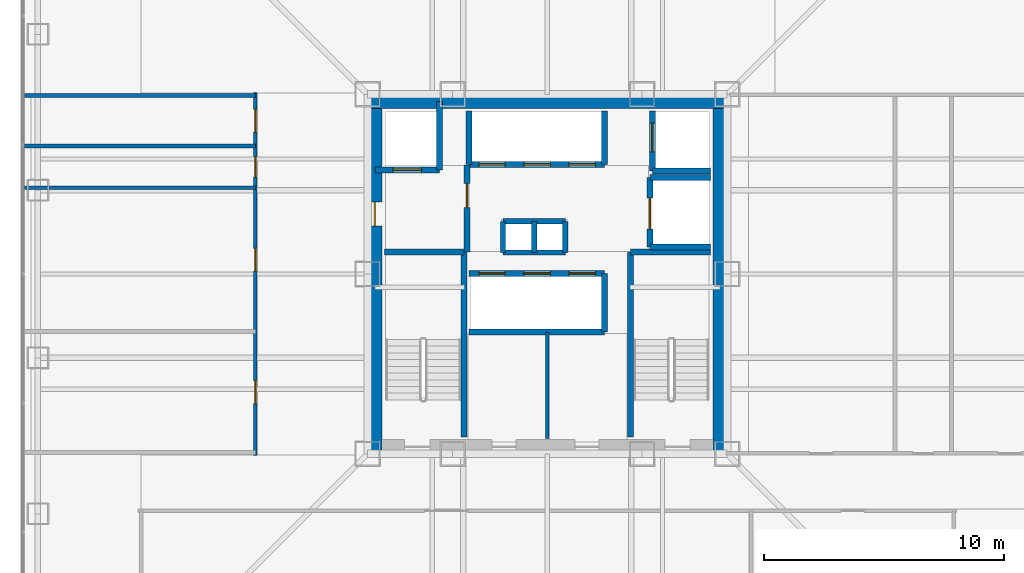
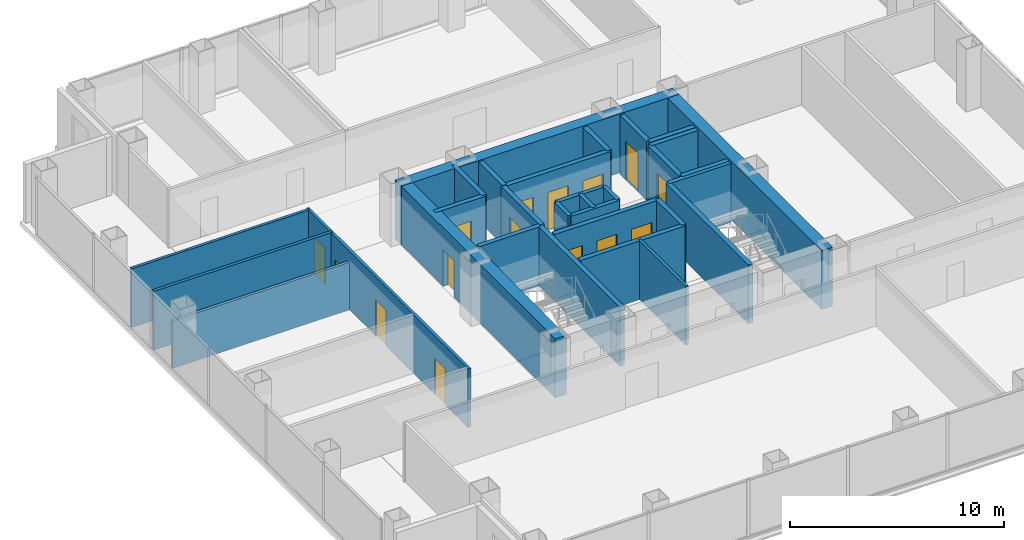
# One storey, part 10 of 14: 31 walls, 15 doors, 15 openings.
"""IFC4 building model written with IfcOpenShell, lengths in metres."""

import ifcopenshell
import ifcopenshell.guid

model = None  # the IFC model being written
_history = None  # IfcOwnerHistory: only IFC2X3 demands one
_inside = {}  # id of a spatial element -> (the spatial element, [elements in it])
_under = {}  # id of a project, library or spatial element -> (it, [spatial elements below it])
_declared = {}  # id of a project -> (the project, [libraries it declares])
_typed = {}  # id of a type object -> (the type object, [elements of that type])
_made_of = {}  # id of a material, layer set ... -> (it, [elements and type objects made of it])


def new_model(schema):
    """Start an empty IFC model of exactly this schema.

    Asked for "IFC4X3", IfcOpenShell would pick the latest addendum, in which some entities
    have other attributes; the version numbers below select the first issue.
    IFC2X3 requires an IfcOwnerHistory on every rooted entity: one is made here for all.
    """
    global model, _history
    if schema == "IFC4X3":
        model = ifcopenshell.file(schema_version=(4, 3, 0, 0))
    else:
        model = ifcopenshell.file(schema=schema)
    _inside.clear()
    _under.clear()
    _declared.clear()
    _typed.clear()
    _made_of.clear()
    _history = None
    if model.schema == "IFC2X3":
        org = make("IfcOrganization", Name="unknown")
        user = make(
            "IfcPersonAndOrganization",
            ThePerson=make("IfcPerson", FamilyName="unknown"),
            TheOrganization=org,
        )
        app = make(
            "IfcApplication",
            ApplicationDeveloper=org,
            Version="unknown",
            ApplicationFullName="unknown",
            ApplicationIdentifier="unknown",
        )
        _history = make(
            "IfcOwnerHistory",
            OwningUser=user,
            OwningApplication=app,
            ChangeAction="ADDED",
            CreationDate=0,
        )
    return model


def make(cls, **values):
    """One entity of the class cls with the attributes given. An attribute that is None is left unset."""
    return model.create_entity(
        cls, **{name: value for name, value in values.items() if value is not None}
    )


def rooted(cls, **values):
    """An entity with a GlobalId (a new one), such as an element, a storey or a relation."""
    return make(cls, GlobalId=ifcopenshell.guid.new(), OwnerHistory=_history, **values)


def si_unit(unit_type, name, prefix=None):
    """IfcSIUnit, for example si_unit("LENGTHUNIT", "METRE", prefix="MILLI")."""
    return make("IfcSIUnit", UnitType=unit_type, Prefix=prefix, Name=name)


def assignment(units):
    """IfcUnitAssignment: the units of a project."""
    return None if units is None else make("IfcUnitAssignment", Units=units)


def point(xyz):
    """IfcCartesianPoint."""
    return None if xyz is None else make("IfcCartesianPoint", Coordinates=xyz)


def direction(xyz):
    """IfcDirection."""
    return None if xyz is None else make("IfcDirection", DirectionRatios=xyz)


def frame(location, z_axis=None, x_axis=None):
    """IfcAxis2Placement3D, a coordinate frame: its origin and axes. An axis left out is left unset."""
    return make(
        "IfcAxis2Placement3D",
        Location=point(location),
        Axis=direction(z_axis),
        RefDirection=direction(x_axis),
    )


def frame_2d(location, x_axis=None):
    """IfcAxis2Placement2D, a coordinate frame in the plane: its origin and x axis."""
    return make(
        "IfcAxis2Placement2D", Location=point(location), RefDirection=direction(x_axis)
    )


def origin():
    """The frame at (0, 0, 0) with its axes left unset."""
    return frame((0.0, 0.0, 0.0))


def place(relative_to, where):
    """IfcLocalPlacement: puts the frame where relative to a parent placement (None: the world)."""
    return make(
        "IfcLocalPlacement", PlacementRelTo=relative_to, RelativePlacement=where
    )


def context(
    kind, dimensions, precision=None, world=None, true_north=None, identifier=None
):
    """IfcGeometricRepresentationContext, for example the 3D "Model" context."""
    return make(
        "IfcGeometricRepresentationContext",
        ContextIdentifier=identifier,
        ContextType=kind,
        CoordinateSpaceDimension=dimensions,
        Precision=precision,
        WorldCoordinateSystem=world,
        TrueNorth=true_north,
    )


def subcontext(parent, identifier, kind, view, scale=None):
    """IfcGeometricRepresentationSubContext, for example "Body" below "Model"."""
    return make(
        "IfcGeometricRepresentationSubContext",
        ContextIdentifier=identifier,
        ContextType=kind,
        ParentContext=parent,
        TargetScale=scale,
        TargetView=view,
    )


def project(units=None, contexts=None):
    """IfcProject with its units and contexts."""
    return rooted(
        "IfcProject",
        Name="project",
        RepresentationContexts=contexts,
        UnitsInContext=assignment(units),
    )


def spatial(cls, under=None, at=None, **own):
    """A site, building, storey or space (cls), placed at a placement, below another one or the project."""
    s = rooted(cls, ObjectPlacement=at, **own)
    if under is not None:
        _under.setdefault(under.id(), (under, []))[1].append(s)
    return s


def profile(cls, at=None, kind="AREA", **sizes):
    """A parametric profile (cls). Its sizes go by their IFC names, for example OverallWidth=200.0."""
    return make(cls, ProfileType=kind, Position=at, **sizes)


def rectangle(**sizes):
    """IfcRectangleProfileDef."""
    return profile("IfcRectangleProfileDef", **sizes)


def extrude(swept, where, along, depth):
    """IfcExtrudedAreaSolid: the profile swept, set in the frame where, extruded along a direction by depth."""
    return make(
        "IfcExtrudedAreaSolid",
        SweptArea=swept,
        Position=where,
        ExtrudedDirection=direction(along),
        Depth=depth,
    )


def shape(context_of_items, identifier, shape_type, items):
    """IfcShapeRepresentation: the items that make up one representation, for example the "Body"."""
    return make(
        "IfcShapeRepresentation",
        ContextOfItems=context_of_items,
        RepresentationIdentifier=identifier,
        RepresentationType=shape_type,
        Items=items,
    )


def material(Name=None, Category=None):
    """IfcMaterial."""
    return make("IfcMaterial", Name=Name, Category=Category)


def layer(
    of_material, thickness, ventilated=None, Name=None, Category=None, Priority=None
):
    """IfcMaterialLayer: one layer of a wall or slab, of a material (None: an air gap)."""
    return make(
        "IfcMaterialLayer",
        Material=of_material,
        LayerThickness=thickness,
        IsVentilated=ventilated,
        Name=Name,
        Category=Category,
        Priority=Priority,
    )


def layer_set(layers, Name=None):
    """IfcMaterialLayerSet."""
    return make("IfcMaterialLayerSet", MaterialLayers=layers, LayerSetName=Name)


def made_of(thing, what):
    """Note that an element or type object is made of a material, layer set ...; save() writes the relation."""
    if what is not None:
        _made_of.setdefault(what.id(), (what, []))[1].append(thing)
    return thing


def type_object(cls, material=None, **own):
    """A type object (cls), such as IfcWallType, which elements share."""
    return made_of(rooted(cls, **own), material)


def element(
    cls,
    number,
    at=None,
    inside=None,
    cuts=None,
    type_object=None,
    material=None,
    context=None,
    identifier="Body",
    shape_type=None,
    held_by="IfcProductDefinitionShape",
    body=None,
    shapes=None,
    **own,
):
    """One element of the class cls, such as IfcWall. Its Tag is "e" and its number.

    at: its placement. inside: the storey or other place that contains it. cuts: it is an
    opening in that element (IfcRelVoidsElement). A single representation is given by context,
    identifier, shape_type and body (its items); several are given by shapes. held_by: the class
    of the entity that holds the representations. save() writes the other relations.
    """
    e = rooted(cls, Tag="e%d" % number, ObjectPlacement=at, **own)
    if body is not None:
        shapes = [shape(context, identifier, shape_type, body)]
    if shapes is not None:
        e.Representation = make(held_by, Representations=shapes)
    if inside is not None:
        _inside.setdefault(inside.id(), (inside, []))[1].append(e)
    if cuts is not None:
        rooted(
            "IfcRelVoidsElement", RelatingBuildingElement=cuts, RelatedOpeningElement=e
        )
    if type_object is not None:
        _typed.setdefault(type_object.id(), (type_object, []))[1].append(e)
    return made_of(e, material)


def fill(opening, filler):
    """IfcRelFillsElement: the door or window that sits in an opening."""
    return rooted(
        "IfcRelFillsElement",
        RelatingOpeningElement=opening,
        RelatedBuildingElement=filler,
    )


def aggregate(whole, parts):
    """IfcRelAggregates: a whole, such as a stair, and the parts it consists of."""
    return rooted("IfcRelAggregates", RelatingObject=whole, RelatedObjects=parts)


def save(model, path):
    """Write the relations noted so far, then the file.

    IfcRelAggregates (storeys below a building ...), IfcRelContainedInSpatialStructure (elements
    in a storey), IfcRelDefinesByType, IfcRelAssociatesMaterial and IfcRelDeclares: one each for
    every whole, place, type object, material and project.
    """
    for whole, parts in _under.values():
        aggregate(whole, parts)
    for where, things in _inside.values():
        rooted(
            "IfcRelContainedInSpatialStructure",
            RelatedElements=things,
            RelatingStructure=where,
        )
    for kind, things in _typed.values():
        rooted("IfcRelDefinesByType", RelatedObjects=things, RelatingType=kind)
    for what, things in _made_of.values():
        rooted("IfcRelAssociatesMaterial", RelatedObjects=things, RelatingMaterial=what)
    for by, libraries in _declared.values():
        rooted("IfcRelDeclares", RelatingContext=by, RelatedDefinitions=libraries)
    model.write(path)


model = new_model("IFC4")

# Units and contexts
model_context = context("Model", 3, precision=1e-05, world=origin(), true_north=direction((0.0, 1.0)))
body_context = subcontext(model_context, "Body", "Model", "MODEL_VIEW")
ifc_project = project(units=[si_unit("LENGTHUNIT", "METRE"), si_unit("AREAUNIT", "SQUARE_METRE"), si_unit("VOLUMEUNIT", "CUBIC_METRE"), si_unit("PLANEANGLEUNIT", "RADIAN"), si_unit("MASSUNIT", "GRAM", prefix="KILO")], contexts=[model_context])

# Site, building, storey
site_placement = place(None, origin())
site = spatial("IfcSite", under=ifc_project, at=site_placement, CompositionType="ELEMENT")
building_placement = place(site_placement, origin())
building = spatial("IfcBuilding", under=site, at=building_placement, Name="Trevonay Congress Spire", CompositionType="ELEMENT")
storey_placement = place(building_placement, frame((0.0, 0.0, 140.800048828125)))
storey = spatial("IfcBuildingStorey", under=building, at=storey_placement, Name="L36", CompositionType="ELEMENT", Elevation=140.800048828125)

# Wall
ifc_material_1 = material(Name="Concrete C60/75", Category="concrete")
ifc_layer_1 = layer(ifc_material_1, 0.60009765625, Name="Concrete C60/75")
ifc_layer_set_1 = layer_set([ifc_layer_1], Name="Concrete C60/75")
wall_type_1 = type_object("IfcWallType", Name="WAL-CORE-600", PredefinedType="SHEAR", material=ifc_layer_set_1)
wall_1_placement = place(storey_placement, frame((-7.5, 7.199951171875, 0.0), z_axis=(0.0, 0.0, 1.0), x_axis=(1.0, 0.0, 0.0)))
element("IfcWall", 1, at=wall_1_placement, inside=storey, type_object=wall_type_1, Name="L36 North structural core shear wall", PredefinedType="SHEAR", context=body_context, shape_type="SweptSolid", body=[
    extrude(rectangle(XDim=15.0, YDim=0.60009765625, at=frame_2d((7.5, 0.0))), origin(), (0.0, 0.0, 1.0), 3.35986328125),
])

# Wall, opening, door
wall_2_placement = place(storey_placement, frame((-7.199951171875, -7.5, 0.0), z_axis=(0.0, 0.0, 1.0), x_axis=(0.0, 1.0, 0.0)))
wall_2 = element("IfcWall", 2, at=wall_2_placement, inside=storey, type_object=wall_type_1, Name="L36 West structural core shear wall", PredefinedType="SHEAR", context=body_context, shape_type="SweptSolid", body=[
    extrude(rectangle(XDim=15.0, YDim=0.60009765625, at=frame_2d((7.5, 0.0))), origin(), (0.0, 0.0, 1.0), 3.35986328125),
])
opening_1_placement = place(wall_2_placement, frame((9.5, 0.0, 0.0)))
opening_1 = element("IfcOpeningElement", 3, at=opening_1_placement, cuts=wall_2, Name="Opening D06", PredefinedType="OPENING", context=body_context, shape_type="SweptSolid", body=[
    extrude(rectangle(XDim=1.0, YDim=2.080078125, at=frame_2d((0.5, 1.0400390625))), frame((0.0, 0.31005859375, 0.0), z_axis=(0.0, -1.0, 0.0), x_axis=(1.0, 0.0, 0.0)), (0.0, 0.0, 1.0), 0.6201171875),
])
ifc_material_2 = material(Name="Steel ASTM A572 Grade 50", Category="steel")
door_type_1 = type_object("IfcDoorType", Name="DOR-FIRE-100", OperationType="NOTDEFINED", PredefinedType="DOOR", material=ifc_material_2)
door_1_placement = place(opening_1_placement, origin())
door_1 = element("IfcDoor", 4, at=door_1_placement, inside=storey, type_object=door_type_1, Name="L36 Firefighting Lift Lobby West Corridor Door", OperationType="SINGLE_SWING_LEFT", OverallHeight=2.080078125, OverallWidth=1.0, PredefinedType="DOOR", context=body_context, shape_type="SweptSolid", body=[
    extrude(rectangle(XDim=1.0, YDim=2.080078125, at=frame_2d((0.5, 1.0400390625))), frame((0.0, 0.02490234375, 0.0), z_axis=(0.0, -1.0, 0.0), x_axis=(1.0, 0.0, 0.0)), (0.0, 0.0, 1.0), 0.050048828125),
])
fill(opening_1, door_1)

# Wall
wall_3_placement = place(storey_placement, frame((7.199951171875, -7.5, 0.0), z_axis=(0.0, 0.0, 1.0), x_axis=(0.0, 1.0, 0.0)))
element("IfcWall", 5, at=wall_3_placement, inside=storey, type_object=wall_type_1, Name="L36 East structural core shear wall", PredefinedType="SHEAR", context=body_context, shape_type="SweptSolid", body=[
    extrude(rectangle(XDim=15.0, YDim=0.60009765625, at=frame_2d((7.5, 0.0))), origin(), (0.0, 0.0, 1.0), 3.35986328125),
])

# Wall, openings, doors
ifc_material_3 = material(Name="Concrete C40/50", Category="concrete")
ifc_layer_2 = layer(ifc_material_3, 0.14990234375, Name="Concrete C40/50")
ifc_layer_set_2 = layer_set([ifc_layer_2], Name="Concrete C40/50")
wall_type_2 = type_object("IfcWallType", Name="WAL-CORR-150", PredefinedType="PARTITIONING", material=ifc_layer_set_2)
wall_4_placement = place(storey_placement, frame((-12.179931640625, -7.570068359375, 0.0), z_axis=(0.0, 0.0, 1.0), x_axis=(0.0, 1.0, 0.0)))
wall_4 = element("IfcWall", 6, at=wall_4_placement, inside=storey, type_object=wall_type_2, Name="L36 interior wall WP-L36W-COR", PredefinedType="PARTITIONING", context=body_context, shape_type="SweptSolid", body=[
    extrude(rectangle(XDim=15.14013671875, YDim=0.14990234375, at=frame_2d((7.570068359375, 0.0))), origin(), (0.0, 0.0, 1.0), 3.35986328125),
])
opening_2_placement = place(wall_4_placement, frame((2.169921875, 0.0, 0.0)))
opening_2 = element("IfcOpeningElement", 7, at=opening_2_placement, cuts=wall_4, Name="Opening D07", PredefinedType="OPENING", context=body_context, shape_type="SweptSolid", body=[
    extrude(rectangle(XDim=0.949951171875, YDim=2.06005859375, at=frame_2d((0.47509765625, 1.030029296875))), frame((0.0, 0.0849609375, 0.0), z_axis=(0.0, -1.0, 0.0), x_axis=(1.0, 0.0, 0.0)), (0.0, 0.0, 1.0), 0.169921875),
])
opening_3_placement = place(wall_4_placement, frame((7.695068359375, 0.0, 0.0)))
opening_3 = element("IfcOpeningElement", 8, at=opening_3_placement, cuts=wall_4, Name="Opening D07", PredefinedType="OPENING", context=body_context, shape_type="SweptSolid", body=[
    extrude(rectangle(XDim=0.949951171875, YDim=2.06005859375, at=frame_2d((0.47509765625, 1.030029296875))), frame((0.0, 0.0849609375, 0.0), z_axis=(0.0, -1.0, 0.0), x_axis=(1.0, 0.0, 0.0)), (0.0, 0.0, 1.0), 0.169921875),
])
opening_4_placement = place(wall_4_placement, frame((11.614990234375, 0.0, 0.0)))
opening_4 = element("IfcOpeningElement", 9, at=opening_4_placement, cuts=wall_4, Name="Opening D10", PredefinedType="OPENING", context=body_context, shape_type="SweptSolid", body=[
    extrude(rectangle(XDim=0.85009765625, YDim=2.050048828125, at=frame_2d((0.425048828125, 1.02490234375))), frame((0.0, 0.0849609375, 0.0), z_axis=(0.0, -1.0, 0.0), x_axis=(1.0, 0.0, 0.0)), (0.0, 0.0, 1.0), 0.169921875),
])
opening_5_placement = place(wall_4_placement, frame((13.489990234375, 0.0, 0.0)))
opening_5 = element("IfcOpeningElement", 10, at=opening_5_placement, cuts=wall_4, Name="Opening D07", PredefinedType="OPENING", context=body_context, shape_type="SweptSolid", body=[
    extrude(rectangle(XDim=0.949951171875, YDim=2.06005859375, at=frame_2d((0.47509765625, 1.030029296875))), frame((0.0, 0.0849609375, 0.0), z_axis=(0.0, -1.0, 0.0), x_axis=(1.0, 0.0, 0.0)), (0.0, 0.0, 1.0), 0.169921875),
])
ifc_material_4 = material(Name="Pale Anodised Aluminium EN AW-6063-T6", Category="aluminium")
door_type_2 = type_object("IfcDoorType", Name="DOR-OFFICE-95", OperationType="NOTDEFINED", PredefinedType="DOOR", material=ifc_material_4)
door_2_placement = place(opening_2_placement, origin())
door_2 = element("IfcDoor", 11, at=door_2_placement, inside=storey, type_object=door_type_2, Name="L36 Television Broadcast Studio Door", OperationType="SINGLE_SWING_RIGHT", OverallHeight=2.06005859375, OverallWidth=0.949951171875, PredefinedType="DOOR", context=body_context, shape_type="SweptSolid", body=[
    extrude(rectangle(XDim=0.949951171875, YDim=2.06005859375, at=frame_2d((0.47509765625, 1.030029296875))), frame((0.0, 0.02490234375, 0.0), z_axis=(0.0, -1.0, 0.0), x_axis=(1.0, 0.0, 0.0)), (0.0, 0.0, 1.0), 0.050048828125),
])
fill(opening_2, door_2)
door_3_placement = place(opening_3_placement, origin())
door_3 = element("IfcDoor", 12, at=door_3_placement, inside=storey, type_object=door_type_2, Name="L36 Broadcast Control Office Door", OperationType="SINGLE_SWING_LEFT", OverallHeight=2.06005859375, OverallWidth=0.949951171875, PredefinedType="DOOR", context=body_context, shape_type="SweptSolid", body=[
    extrude(rectangle(XDim=0.949951171875, YDim=2.06005859375, at=frame_2d((0.47509765625, 1.030029296875))), frame((0.0, 0.02490234375, 0.0), z_axis=(0.0, -1.0, 0.0), x_axis=(1.0, 0.0, 0.0)), (0.0, 0.0, 1.0), 0.050048828125),
])
fill(opening_3, door_3)
door_4_placement = place(opening_5_placement, origin())
door_4 = element("IfcDoor", 13, at=door_4_placement, inside=storey, type_object=door_type_2, Name="L36 Floor Supplies and Copy Room Door", OperationType="SINGLE_SWING_LEFT", OverallHeight=2.06005859375, OverallWidth=0.949951171875, PredefinedType="DOOR", context=body_context, shape_type="SweptSolid", body=[
    extrude(rectangle(XDim=0.949951171875, YDim=2.06005859375, at=frame_2d((0.47509765625, 1.030029296875))), frame((0.0, 0.02490234375, 0.0), z_axis=(0.0, -1.0, 0.0), x_axis=(1.0, 0.0, 0.0)), (0.0, 0.0, 1.0), 0.050048828125),
])
fill(opening_5, door_4)
door_type_3 = type_object("IfcDoorType", Name="DOR-WC-85", OperationType="NOTDEFINED", PredefinedType="DOOR", material=ifc_material_4)
door_5_placement = place(opening_4_placement, origin())
door_5 = element("IfcDoor", 14, at=door_5_placement, inside=storey, type_object=door_type_3, Name="L36 Accessible WC Door", OperationType="SINGLE_SWING_RIGHT", OverallHeight=2.050048828125, OverallWidth=0.85009765625, PredefinedType="DOOR", context=body_context, shape_type="SweptSolid", body=[
    extrude(rectangle(XDim=0.85009765625, YDim=2.050048828125, at=frame_2d((0.425048828125, 1.02490234375))), frame((0.0, 0.02490234375, 0.0), z_axis=(0.0, -1.0, 0.0), x_axis=(1.0, 0.0, 0.0)), (0.0, 0.0, 1.0), 0.050048828125),
])
fill(opening_4, door_5)

# Walls
ifc_layer_3 = layer(ifc_material_3, 0.14990234375, Name="Concrete C40/50")
ifc_layer_set_3 = layer_set([ifc_layer_3], Name="Concrete C40/50")
wall_type_3 = type_object("IfcWallType", Name="WAL-PART-150", PredefinedType="PARTITIONING", material=ifc_layer_set_3)
wall_5_placement = place(storey_placement, frame((0.0, -6.85009765625, 0.0), z_axis=(0.0, 0.0, 1.0), x_axis=(0.0, 1.0, 0.0)))
element("IfcWall", 15, at=wall_5_placement, inside=storey, type_object=wall_type_3, Name="L36 interior wall CW-F0-L36", PredefinedType="PARTITIONING", context=body_context, shape_type="SweptSolid", body=[
    extrude(rectangle(XDim=4.420166015625, YDim=0.14990234375, at=frame_2d((2.2099609375, 0.0))), origin(), (0.0, 0.0, 1.0), 3.35986328125),
])
wall_6_placement = place(storey_placement, frame((-21.820068359375, 3.60009765625, 0.0), z_axis=(0.0, 0.0, 1.0), x_axis=(1.0, 0.0, 0.0)))
element("IfcWall", 16, at=wall_6_placement, inside=storey, type_object=wall_type_3, Name="L36 interior wall WP-L36W-DIV3", PredefinedType="PARTITIONING", context=body_context, shape_type="SweptSolid", body=[
    extrude(rectangle(XDim=9.64013671875, YDim=0.14990234375, at=frame_2d((4.820068359375, 0.0))), origin(), (0.0, 0.0, 1.0), 2.718017578125),
])
wall_7_placement = place(storey_placement, frame((-21.820068359375, 7.449951171875, 0.0), z_axis=(0.0, 0.0, 1.0), x_axis=(1.0, 0.0, 0.0)))
element("IfcWall", 17, at=wall_7_placement, inside=storey, type_object=wall_type_3, Name="L36 interior wall WP-L36W-DIV4", PredefinedType="PARTITIONING", context=body_context, shape_type="SweptSolid", body=[
    extrude(rectangle(XDim=9.64013671875, YDim=0.14990234375, at=frame_2d((4.820068359375, 0.0))), origin(), (0.0, 0.0, 1.0), 3.35986328125),
])
ifc_layer_4 = layer(ifc_material_3, 0.219970703125, Name="Concrete C40/50")
ifc_layer_set_4 = layer_set([ifc_layer_4], Name="Concrete C40/50")
wall_type_4 = type_object("IfcWallType", Name="WAL-SHAFT-220", PredefinedType="PARTITIONING", material=ifc_layer_set_4)
for number, where, z_axis, x_axis, name in (
    (18, (-1.85009765625, 2.199951171875, 0.0), (0.0, 0.0, 1.0), (1.0, 0.0, 0.0), "L36 interior shaft wall WSH-L36-RSR-N"),
    (19, (-1.85009765625, 0.89990234375, 0.0), (0.0, 0.0, 1.0), (1.0, 0.0, 0.0), "L36 interior shaft wall WSH-L36-RSR-S"),
):
    element("IfcWall", number, at=place(storey_placement, frame(where, z_axis=z_axis, x_axis=x_axis)), inside=storey, type_object=wall_type_4, Name=name, PredefinedType="PARTITIONING", context=body_context, shape_type="SweptSolid", body=[
        extrude(rectangle(XDim=2.60009765625, YDim=0.219970703125, at=frame_2d((1.300048828125, 0.0))), origin(), (0.0, 0.0, 1.0), 3.35986328125),
    ])
for number, where, z_axis, x_axis, name in (
    (20, (-0.550048828125, 0.89990234375, 0.0), (0.0, 0.0, 1.0), (0.0, 1.0, 0.0), "L36 interior shaft wall WSH-L36-RSR-M"),
    (21, (0.75, 0.89990234375, 0.0), (0.0, 0.0, 1.0), (0.0, 1.0, 0.0), "L36 interior shaft wall WSH-L36-RSR-E"),
    (22, (-1.85009765625, 0.89990234375, 0.0), (0.0, 0.0, 1.0), (0.0, 1.0, 0.0), "L36 interior shaft wall WSH-L36-RSR-W"),
):
    element("IfcWall", number, at=place(storey_placement, frame(where, z_axis=z_axis, x_axis=x_axis)), inside=storey, type_object=wall_type_4, Name=name, PredefinedType="PARTITIONING", context=body_context, shape_type="SweptSolid", body=[
        extrude(rectangle(XDim=1.300048828125, YDim=0.219970703125, at=frame_2d((0.64990234375, 0.0))), origin(), (0.0, 0.0, 1.0), 3.35986328125),
    ])

# Wall, openings, doors
ifc_layer_5 = layer(ifc_material_3, 0.25, Name="Concrete C40/50")
ifc_layer_set_5 = layer_set([ifc_layer_5], Name="Concrete C40/50")
wall_type_5 = type_object("IfcWallType", Name="WAL-SHAFT-250", PredefinedType="SHEAR", material=ifc_layer_set_5)
wall_8_placement = place(storey_placement, frame((-3.260009765625, 0.02001953125, 0.0), z_axis=(0.0, 0.0, 1.0), x_axis=(1.0, 0.0, 0.0)))
wall_8 = element("IfcWall", 23, at=wall_8_placement, inside=storey, type_object=wall_type_5, Name="L36 interior shaft wall WSH-L36-B2-N", PredefinedType="SHEAR", context=body_context, shape_type="SweptSolid", body=[
    extrude(rectangle(XDim=5.639892578125, YDim=0.25, at=frame_2d((2.81982421875, 0.0))), origin(), (0.0, 0.0, 1.0), 3.35986328125),
])
opening_6_placement = place(wall_8_placement, frame((0.39990234375, 0.0, 0.0)))
opening_6 = element("IfcOpeningElement", 24, at=opening_6_placement, cuts=wall_8, Name="Opening LD02", PredefinedType="OPENING", context=body_context, shape_type="SweptSolid", body=[
    extrude(rectangle(XDim=1.10009765625, YDim=2.199951171875, at=frame_2d((0.550048828125, 1.10009765625))), frame((0.0, 0.135009765625, 0.0), z_axis=(0.0, -1.0, 0.0), x_axis=(1.0, 0.0, 0.0)), (0.0, 0.0, 1.0), 0.27001953125),
])
opening_7_placement = place(wall_8_placement, frame((2.280029296875, 0.0, 0.0)))
opening_7 = element("IfcOpeningElement", 25, at=opening_7_placement, cuts=wall_8, Name="Opening LD02", PredefinedType="OPENING", context=body_context, shape_type="SweptSolid", body=[
    extrude(rectangle(XDim=1.10009765625, YDim=2.199951171875, at=frame_2d((0.550048828125, 1.10009765625))), frame((0.0, 0.135009765625, 0.0), z_axis=(0.0, -1.0, 0.0), x_axis=(1.0, 0.0, 0.0)), (0.0, 0.0, 1.0), 0.27001953125),
])
opening_8_placement = place(wall_8_placement, frame((4.159912109375, 0.0, 0.0)))
opening_8 = element("IfcOpeningElement", 26, at=opening_8_placement, cuts=wall_8, Name="Opening LD02", PredefinedType="OPENING", context=body_context, shape_type="SweptSolid", body=[
    extrude(rectangle(XDim=1.10009765625, YDim=2.199951171875, at=frame_2d((0.550048828125, 1.10009765625))), frame((0.0, 0.135009765625, 0.0), z_axis=(0.0, -1.0, 0.0), x_axis=(1.0, 0.0, 0.0)), (0.0, 0.0, 1.0), 0.27001953125),
])
door_type_4 = type_object("IfcDoorType", Name="DOR-LIFT-LD02", OperationType="DOUBLE_DOOR_SLIDING", PredefinedType="DOOR", material=ifc_material_4)
door_6_placement = place(opening_6_placement, origin())
door_6 = element("IfcDoor", 27, at=door_6_placement, inside=storey, type_object=door_type_4, Name="L36 Passenger lift PL-04 landing door", OperationType="DOUBLE_DOOR_SLIDING", OverallHeight=2.199951171875, OverallWidth=1.10009765625, PredefinedType="DOOR", context=body_context, shape_type="SweptSolid", body=[
    extrude(rectangle(XDim=1.10009765625, YDim=2.199951171875, at=frame_2d((0.550048828125, 1.10009765625))), frame((0.0, 0.02490234375, 0.0), z_axis=(0.0, -1.0, 0.0), x_axis=(1.0, 0.0, 0.0)), (0.0, 0.0, 1.0), 0.050048828125),
])
fill(opening_6, door_6)
door_7_placement = place(opening_7_placement, origin())
door_7 = element("IfcDoor", 28, at=door_7_placement, inside=storey, type_object=door_type_4, Name="L36 Passenger lift PL-05 landing door", OperationType="DOUBLE_DOOR_SLIDING", OverallHeight=2.199951171875, OverallWidth=1.10009765625, PredefinedType="DOOR", context=body_context, shape_type="SweptSolid", body=[
    extrude(rectangle(XDim=1.10009765625, YDim=2.199951171875, at=frame_2d((0.550048828125, 1.10009765625))), frame((0.0, 0.02490234375, 0.0), z_axis=(0.0, -1.0, 0.0), x_axis=(1.0, 0.0, 0.0)), (0.0, 0.0, 1.0), 0.050048828125),
])
fill(opening_7, door_7)
door_8_placement = place(opening_8_placement, origin())
door_8 = element("IfcDoor", 29, at=door_8_placement, inside=storey, type_object=door_type_4, Name="L36 Passenger lift PL-06 landing door", OperationType="DOUBLE_DOOR_SLIDING", OverallHeight=2.199951171875, OverallWidth=1.10009765625, PredefinedType="DOOR", context=body_context, shape_type="SweptSolid", body=[
    extrude(rectangle(XDim=1.10009765625, YDim=2.199951171875, at=frame_2d((0.550048828125, 1.10009765625))), frame((0.0, 0.02490234375, 0.0), z_axis=(0.0, -1.0, 0.0), x_axis=(1.0, 0.0, 0.0)), (0.0, 0.0, 1.0), 0.050048828125),
])
fill(opening_8, door_8)

# Walls
wall_9_placement = place(storey_placement, frame((-3.260009765625, -2.419921875, 0.0), z_axis=(0.0, 0.0, 1.0), x_axis=(1.0, 0.0, 0.0)))
element("IfcWall", 30, at=wall_9_placement, inside=storey, type_object=wall_type_5, Name="L36 interior shaft wall WSH-L36-B2-S", PredefinedType="SHEAR", context=body_context, shape_type="SweptSolid", body=[
    extrude(rectangle(XDim=5.639892578125, YDim=0.25, at=frame_2d((2.81982421875, 0.0))), origin(), (0.0, 0.0, 1.0), 3.35986328125),
])
wall_10_placement = place(storey_placement, frame((2.3798828125, -2.419921875, 0.0), z_axis=(0.0, 0.0, 1.0), x_axis=(0.0, 1.0, 0.0)))
element("IfcWall", 31, at=wall_10_placement, inside=storey, type_object=wall_type_5, Name="L36 interior shaft wall WSH-L36-B2-E", PredefinedType="SHEAR", context=body_context, shape_type="SweptSolid", body=[
    extrude(rectangle(XDim=2.43994140625, YDim=0.25, at=frame_2d((1.219970703125, 0.0))), origin(), (0.0, 0.0, 1.0), 3.35986328125),
])

# Wall, openings, doors
wall_11_placement = place(storey_placement, frame((-3.260009765625, 4.580078125, 0.0), z_axis=(0.0, 0.0, 1.0), x_axis=(1.0, 0.0, 0.0)))
wall_11 = element("IfcWall", 32, at=wall_11_placement, inside=storey, type_object=wall_type_5, Name="L36 interior shaft wall WSH-L36-B3-S", PredefinedType="SHEAR", context=body_context, shape_type="SweptSolid", body=[
    extrude(rectangle(XDim=5.639892578125, YDim=0.25, at=frame_2d((2.81982421875, 0.0))), origin(), (0.0, 0.0, 1.0), 3.35986328125),
])
opening_9_placement = place(wall_11_placement, frame((0.39990234375, 0.0, 0.0)))
opening_9 = element("IfcOpeningElement", 33, at=opening_9_placement, cuts=wall_11, Name="Opening LD03", PredefinedType="OPENING", context=body_context, shape_type="SweptSolid", body=[
    extrude(rectangle(XDim=1.10009765625, YDim=2.199951171875, at=frame_2d((0.550048828125, 1.10009765625))), frame((0.0, 0.135009765625, 0.0), z_axis=(0.0, -1.0, 0.0), x_axis=(1.0, 0.0, 0.0)), (0.0, 0.0, 1.0), 0.27001953125),
])
opening_10_placement = place(wall_11_placement, frame((2.280029296875, 0.0, 0.0)))
opening_10 = element("IfcOpeningElement", 34, at=opening_10_placement, cuts=wall_11, Name="Opening LD03", PredefinedType="OPENING", context=body_context, shape_type="SweptSolid", body=[
    extrude(rectangle(XDim=1.10009765625, YDim=2.199951171875, at=frame_2d((0.550048828125, 1.10009765625))), frame((0.0, 0.135009765625, 0.0), z_axis=(0.0, -1.0, 0.0), x_axis=(1.0, 0.0, 0.0)), (0.0, 0.0, 1.0), 0.27001953125),
])
opening_11_placement = place(wall_11_placement, frame((4.159912109375, 0.0, 0.0)))
opening_11 = element("IfcOpeningElement", 35, at=opening_11_placement, cuts=wall_11, Name="Opening LD03", PredefinedType="OPENING", context=body_context, shape_type="SweptSolid", body=[
    extrude(rectangle(XDim=1.10009765625, YDim=2.199951171875, at=frame_2d((0.550048828125, 1.10009765625))), frame((0.0, 0.135009765625, 0.0), z_axis=(0.0, -1.0, 0.0), x_axis=(1.0, 0.0, 0.0)), (0.0, 0.0, 1.0), 0.27001953125),
])
door_type_5 = type_object("IfcDoorType", Name="DOR-LIFT-LD03", OperationType="DOUBLE_DOOR_SLIDING", PredefinedType="DOOR", material=ifc_material_4)
door_9_placement = place(opening_9_placement, origin())
door_9 = element("IfcDoor", 36, at=door_9_placement, inside=storey, type_object=door_type_5, Name="L36 Passenger lift PL-07 landing door", OperationType="DOUBLE_DOOR_SLIDING", OverallHeight=2.199951171875, OverallWidth=1.10009765625, PredefinedType="DOOR", context=body_context, shape_type="SweptSolid", body=[
    extrude(rectangle(XDim=1.10009765625, YDim=2.199951171875, at=frame_2d((0.550048828125, 1.10009765625))), frame((0.0, 0.02490234375, 0.0), z_axis=(0.0, -1.0, 0.0), x_axis=(1.0, 0.0, 0.0)), (0.0, 0.0, 1.0), 0.050048828125),
])
fill(opening_9, door_9)
door_10_placement = place(opening_10_placement, origin())
door_10 = element("IfcDoor", 37, at=door_10_placement, inside=storey, type_object=door_type_5, Name="L36 Passenger lift PL-08 landing door", OperationType="DOUBLE_DOOR_SLIDING", OverallHeight=2.199951171875, OverallWidth=1.10009765625, PredefinedType="DOOR", context=body_context, shape_type="SweptSolid", body=[
    extrude(rectangle(XDim=1.10009765625, YDim=2.199951171875, at=frame_2d((0.550048828125, 1.10009765625))), frame((0.0, 0.02490234375, 0.0), z_axis=(0.0, -1.0, 0.0), x_axis=(1.0, 0.0, 0.0)), (0.0, 0.0, 1.0), 0.050048828125),
])
fill(opening_10, door_10)
door_11_placement = place(opening_11_placement, origin())
door_11 = element("IfcDoor", 38, at=door_11_placement, inside=storey, type_object=door_type_5, Name="L36 Passenger lift PL-09 landing door", OperationType="DOUBLE_DOOR_SLIDING", OverallHeight=2.199951171875, OverallWidth=1.10009765625, PredefinedType="DOOR", context=body_context, shape_type="SweptSolid", body=[
    extrude(rectangle(XDim=1.10009765625, YDim=2.199951171875, at=frame_2d((0.550048828125, 1.10009765625))), frame((0.0, 0.02490234375, 0.0), z_axis=(0.0, -1.0, 0.0), x_axis=(1.0, 0.0, 0.0)), (0.0, 0.0, 1.0), 0.050048828125),
])
fill(opening_11, door_11)

# Walls
for number, where, z_axis, x_axis, name in (
    (39, (-3.260009765625, 4.580078125, 0.0), (0.0, 0.0, 1.0), (0.0, 1.0, 0.0), "L36 interior shaft wall WSH-L36-B3-W"),
    (40, (2.3798828125, 4.580078125, 0.0), (0.0, 0.0, 1.0), (0.0, 1.0, 0.0), "L36 interior shaft wall WSH-L36-B3-E"),
):
    element("IfcWall", number, at=place(storey_placement, frame(where, z_axis=z_axis, x_axis=x_axis)), inside=storey, type_object=wall_type_5, Name=name, PredefinedType="SHEAR", context=body_context, shape_type="SweptSolid", body=[
        extrude(rectangle(XDim=2.219970703125, YDim=0.25, at=frame_2d((1.10986328125, 0.0))), origin(), (0.0, 0.0, 1.0), 3.35986328125),
    ])

# Wall, opening, door
wall_12_placement = place(storey_placement, frame((-7.199951171875, 4.35009765625, 0.0), z_axis=(0.0, 0.0, 1.0), x_axis=(1.0, 0.0, 0.0)))
wall_12 = element("IfcWall", 41, at=wall_12_placement, inside=storey, type_object=wall_type_5, Name="L36 interior shaft wall WSH-L36-FF1-S", PredefinedType="SHEAR", context=body_context, shape_type="SweptSolid", body=[
    extrude(rectangle(XDim=2.699951171875, YDim=0.25, at=frame_2d((1.35009765625, 0.0))), origin(), (0.0, 0.0, 1.0), 3.35986328125),
])
opening_12_placement = place(wall_12_placement, frame((0.75, 0.0, 0.0)))
opening_12 = element("IfcOpeningElement", 42, at=opening_12_placement, cuts=wall_12, Name="Opening LD04", PredefinedType="OPENING", context=body_context, shape_type="SweptSolid", body=[
    extrude(rectangle(XDim=1.199951171875, YDim=2.199951171875, at=frame_2d((0.60009765625, 1.10009765625))), frame((0.0, 0.135009765625, 0.0), z_axis=(0.0, -1.0, 0.0), x_axis=(1.0, 0.0, 0.0)), (0.0, 0.0, 1.0), 0.27001953125),
])
door_type_6 = type_object("IfcDoorType", Name="DOR-LIFT-LD04", OperationType="DOUBLE_DOOR_SLIDING", PredefinedType="DOOR", material=ifc_material_2)
door_12_placement = place(opening_12_placement, origin())
door_12 = element("IfcDoor", 43, at=door_12_placement, inside=storey, type_object=door_type_6, Name="L36 Firefighting lift FFL-01 landing door", OperationType="DOUBLE_DOOR_SLIDING", OverallHeight=2.199951171875, OverallWidth=1.199951171875, PredefinedType="DOOR", context=body_context, shape_type="SweptSolid", body=[
    extrude(rectangle(XDim=1.199951171875, YDim=2.199951171875, at=frame_2d((0.60009765625, 1.10009765625))), frame((0.0, 0.02490234375, 0.0), z_axis=(0.0, -1.0, 0.0), x_axis=(1.0, 0.0, 0.0)), (0.0, 0.0, 1.0), 0.050048828125),
])
fill(opening_12, door_12)

# Walls
wall_13_placement = place(storey_placement, frame((-4.5, 4.35009765625, 0.0), z_axis=(0.0, 0.0, 1.0), x_axis=(0.0, 1.0, 0.0)))
element("IfcWall", 44, at=wall_13_placement, inside=storey, type_object=wall_type_5, Name="L36 interior shaft wall WSH-L36-FF1-E", PredefinedType="SHEAR", context=body_context, shape_type="SweptSolid", body=[
    extrude(rectangle(XDim=2.849853515625, YDim=0.25, at=frame_2d((1.4248046875, 0.0))), origin(), (0.0, 0.0, 1.0), 3.35986328125),
])
wall_14_placement = place(storey_placement, frame((4.3798828125, 4.300048828125, 0.0), z_axis=(0.0, 0.0, 1.0), x_axis=(1.0, 0.0, 0.0)))
element("IfcWall", 45, at=wall_14_placement, inside=storey, type_object=wall_type_5, Name="L36 interior shaft wall WSH-L36-FF2-S", PredefinedType="SHEAR", context=body_context, shape_type="SweptSolid", body=[
    extrude(rectangle(XDim=2.420166015625, YDim=0.25, at=frame_2d((1.2099609375, 0.0))), origin(), (0.0, 0.0, 1.0), 3.35986328125),
])

# Wall, opening, door
wall_15_placement = place(storey_placement, frame((4.3798828125, 4.300048828125, 0.0), z_axis=(0.0, 0.0, 1.0), x_axis=(0.0, 1.0, 0.0)))
wall_15 = element("IfcWall", 46, at=wall_15_placement, inside=storey, type_object=wall_type_5, Name="L36 interior shaft wall WSH-L36-FF2-W", PredefinedType="SHEAR", context=body_context, shape_type="SweptSolid", body=[
    extrude(rectangle(XDim=2.5, YDim=0.25, at=frame_2d((1.25, 0.0))), origin(), (0.0, 0.0, 1.0), 3.35986328125),
])
opening_13_placement = place(wall_15_placement, frame((0.800048828125, 0.0, 0.0)))
opening_13 = element("IfcOpeningElement", 47, at=opening_13_placement, cuts=wall_15, Name="Opening LD04", PredefinedType="OPENING", context=body_context, shape_type="SweptSolid", body=[
    extrude(rectangle(XDim=1.199951171875, YDim=2.199951171875, at=frame_2d((0.60009765625, 1.10009765625))), frame((0.0, 0.135009765625, 0.0), z_axis=(0.0, -1.0, 0.0), x_axis=(1.0, 0.0, 0.0)), (0.0, 0.0, 1.0), 0.27001953125),
])
door_13_placement = place(opening_13_placement, origin())
door_13 = element("IfcDoor", 48, at=door_13_placement, inside=storey, type_object=door_type_6, Name="L36 Firefighting lift FFL-02 landing door", OperationType="DOUBLE_DOOR_SLIDING", OverallHeight=2.199951171875, OverallWidth=1.199951171875, PredefinedType="DOOR", context=body_context, shape_type="SweptSolid", body=[
    extrude(rectangle(XDim=1.199951171875, YDim=2.199951171875, at=frame_2d((0.60009765625, 1.10009765625))), frame((0.0, 0.02490234375, 0.0), z_axis=(0.0, -1.0, 0.0), x_axis=(1.0, 0.0, 0.0)), (0.0, 0.0, 1.0), 0.050048828125),
])
fill(opening_13, door_13)

wall_16_placement = place(storey_placement, frame((4.280029296875, 1.1201171875, 0.0), z_axis=(0.0, 0.0, 1.0), x_axis=(0.0, 1.0, 0.0)))
wall_16 = element("IfcWall", 49, at=wall_16_placement, inside=storey, type_object=wall_type_5, Name="L36 interior shaft wall WSH-L36-SV-W", PredefinedType="SHEAR", context=body_context, shape_type="SweptSolid", body=[
    extrude(rectangle(XDim=2.89990234375, YDim=0.25, at=frame_2d((1.449951171875, 0.0))), origin(), (0.0, 0.0, 1.0), 3.35986328125),
])
opening_14_placement = place(wall_16_placement, frame((0.75, 0.0, 0.0)))
opening_14 = element("IfcOpeningElement", 50, at=opening_14_placement, cuts=wall_16, Name="Opening LD05", PredefinedType="OPENING", context=body_context, shape_type="SweptSolid", body=[
    extrude(rectangle(XDim=1.300048828125, YDim=2.300048828125, at=frame_2d((0.64990234375, 1.14990234375))), frame((0.0, 0.135009765625, 0.0), z_axis=(0.0, -1.0, 0.0), x_axis=(1.0, 0.0, 0.0)), (0.0, 0.0, 1.0), 0.27001953125),
])
door_type_7 = type_object("IfcDoorType", Name="DOR-LIFT-LD05", OperationType="DOUBLE_DOOR_SLIDING", PredefinedType="DOOR", material=ifc_material_2)
door_14_placement = place(opening_14_placement, origin())
door_14 = element("IfcDoor", 51, at=door_14_placement, inside=storey, type_object=door_type_7, Name="L36 Goods lift SVL-01 landing door", OperationType="DOUBLE_DOOR_SLIDING", OverallHeight=2.300048828125, OverallWidth=1.300048828125, PredefinedType="DOOR", context=body_context, shape_type="SweptSolid", body=[
    extrude(rectangle(XDim=1.300048828125, YDim=2.300048828125, at=frame_2d((0.64990234375, 1.14990234375))), frame((0.0, 0.02490234375, 0.0), z_axis=(0.0, -1.0, 0.0), x_axis=(1.0, 0.0, 0.0)), (0.0, 0.0, 1.0), 0.050048828125),
])
fill(opening_14, door_14)

# Walls
for number, where, z_axis, x_axis, name in (
    (52, (4.280029296875, 1.1201171875, 0.0), (0.0, 0.0, 1.0), (1.0, 0.0, 0.0), "L36 interior shaft wall WSH-L36-SV-S"),
    (53, (4.280029296875, 4.02001953125, 0.0), (0.0, 0.0, 1.0), (1.0, 0.0, 0.0), "L36 interior shaft wall WSH-L36-SV-N"),
):
    element("IfcWall", number, at=place(storey_placement, frame(where, z_axis=z_axis, x_axis=x_axis)), inside=storey, type_object=wall_type_5, Name=name, PredefinedType="SHEAR", context=body_context, shape_type="SweptSolid", body=[
        extrude(rectangle(XDim=2.52001953125, YDim=0.25, at=frame_2d((1.260009765625, 0.0))), origin(), (0.0, 0.0, 1.0), 3.35986328125),
    ])

# Wall, opening, door
wall_17_placement = place(storey_placement, frame((-3.35009765625, 0.919921875, 0.0), z_axis=(0.0, 0.0, 1.0), x_axis=(0.0, 1.0, 0.0)))
wall_17 = element("IfcWall", 54, at=wall_17_placement, inside=storey, type_object=wall_type_5, Name="L36 interior wall CW-FFLW-E-L36", PredefinedType="SHEAR", context=body_context, shape_type="SweptSolid", body=[
    extrude(rectangle(XDim=3.6201171875, YDim=0.25, at=frame_2d((1.81005859375, 0.0))), origin(), (0.0, 0.0, 1.0), 3.35986328125),
])
opening_15_placement = place(wall_17_placement, frame((1.85009765625, 0.0, 0.0)))
opening_15 = element("IfcOpeningElement", 55, at=opening_15_placement, cuts=wall_17, Name="Opening D06", PredefinedType="OPENING", context=body_context, shape_type="SweptSolid", body=[
    extrude(rectangle(XDim=1.0, YDim=2.080078125, at=frame_2d((0.5, 1.0400390625))), frame((0.0, 0.135009765625, 0.0), z_axis=(0.0, -1.0, 0.0), x_axis=(1.0, 0.0, 0.0)), (0.0, 0.0, 1.0), 0.27001953125),
])
door_15_placement = place(opening_15_placement, origin())
door_15 = element("IfcDoor", 56, at=door_15_placement, inside=storey, type_object=door_type_1, Name="L36 Firefighting Core Lobby Transfer Door", OperationType="SINGLE_SWING_RIGHT", OverallHeight=2.080078125, OverallWidth=1.0, PredefinedType="DOOR", context=body_context, shape_type="SweptSolid", body=[
    extrude(rectangle(XDim=1.0, YDim=2.080078125, at=frame_2d((0.5, 1.0400390625))), frame((0.0, 0.02490234375, 0.0), z_axis=(0.0, -1.0, 0.0), x_axis=(1.0, 0.0, 0.0)), (0.0, 0.0, 1.0), 0.050048828125),
])
fill(opening_15, door_15)

# Walls
ifc_layer_6 = layer(ifc_material_3, 0.25, Name="Concrete C40/50")
ifc_layer_set_6 = layer_set([ifc_layer_6], Name="Concrete C40/50")
wall_type_6 = type_object("IfcWallType", Name="WAL-SHAFT-LB-250", PredefinedType="SHEAR", material=ifc_layer_set_6)
wall_18_placement = place(storey_placement, frame((-3.469970703125, -6.800048828125, 0.0), z_axis=(0.0, 0.0, 1.0), x_axis=(0.0, 1.0, 0.0)))
element("IfcWall", 57, at=wall_18_placement, inside=storey, type_object=wall_type_6, Name="L36 interior shaft wall WSH-L36-ST1-E", PredefinedType="SHEAR", context=body_context, shape_type="SweptSolid", body=[
    extrude(rectangle(XDim=7.719970703125, YDim=0.25, at=frame_2d((3.85986328125, 0.0))), origin(), (0.0, 0.0, 1.0), 3.35986328125),
])
wall_19_placement = place(storey_placement, frame((-6.800048828125, 0.919921875, 0.0), z_axis=(0.0, 0.0, 1.0), x_axis=(1.0, 0.0, 0.0)))
element("IfcWall", 58, at=wall_19_placement, inside=storey, type_object=wall_type_6, Name="L36 interior shaft wall WSH-L36-ST1-N", PredefinedType="SHEAR", context=body_context, shape_type="SweptSolid", body=[
    extrude(rectangle(XDim=3.330078125, YDim=0.25, at=frame_2d((1.6650390625, 0.0))), origin(), (0.0, 0.0, 1.0), 3.35986328125),
])
wall_20_placement = place(storey_placement, frame((3.469970703125, -6.800048828125, 0.0), z_axis=(0.0, 0.0, 1.0), x_axis=(0.0, 1.0, 0.0)))
element("IfcWall", 59, at=wall_20_placement, inside=storey, type_object=wall_type_6, Name="L36 interior shaft wall WSH-L36-ST2-W", PredefinedType="SHEAR", context=body_context, shape_type="SweptSolid", body=[
    extrude(rectangle(XDim=7.719970703125, YDim=0.25, at=frame_2d((3.85986328125, 0.0))), origin(), (0.0, 0.0, 1.0), 3.35986328125),
])
wall_21_placement = place(storey_placement, frame((3.469970703125, 0.919921875, 0.0), z_axis=(0.0, 0.0, 1.0), x_axis=(1.0, 0.0, 0.0)))
element("IfcWall", 60, at=wall_21_placement, inside=storey, type_object=wall_type_6, Name="L36 interior shaft wall WSH-L36-ST2-N", PredefinedType="SHEAR", context=body_context, shape_type="SweptSolid", body=[
    extrude(rectangle(XDim=3.330078125, YDim=0.25, at=frame_2d((1.6650390625, 0.0))), origin(), (0.0, 0.0, 1.0), 3.35986328125),
])
ifc_layer_7 = layer(ifc_material_3, 0.1650390625, Name="Concrete C40/50")
ifc_layer_set_7 = layer_set([ifc_layer_7], Name="Concrete C40/50")
wall_type_7 = type_object("IfcWallType", Name="WAL-WET-165", PredefinedType="PLUMBINGWALL", material=ifc_layer_set_7)
wall_22_placement = place(storey_placement, frame((-21.820068359375, 5.340087890625, 0.0), z_axis=(0.0, 0.0, 1.0), x_axis=(1.0, 0.0, 0.0)))
element("IfcWall", 61, at=wall_22_placement, inside=storey, type_object=wall_type_7, Name="L36 interior wall WP-L36W-WCS3", PredefinedType="PLUMBINGWALL", context=body_context, shape_type="SweptSolid", body=[
    extrude(rectangle(XDim=9.64013671875, YDim=0.1650390625, at=frame_2d((4.820068359375, 0.0))), origin(), (0.0, 0.0, 1.0), 3.35986328125),
])

save(model, "model.ifc")
